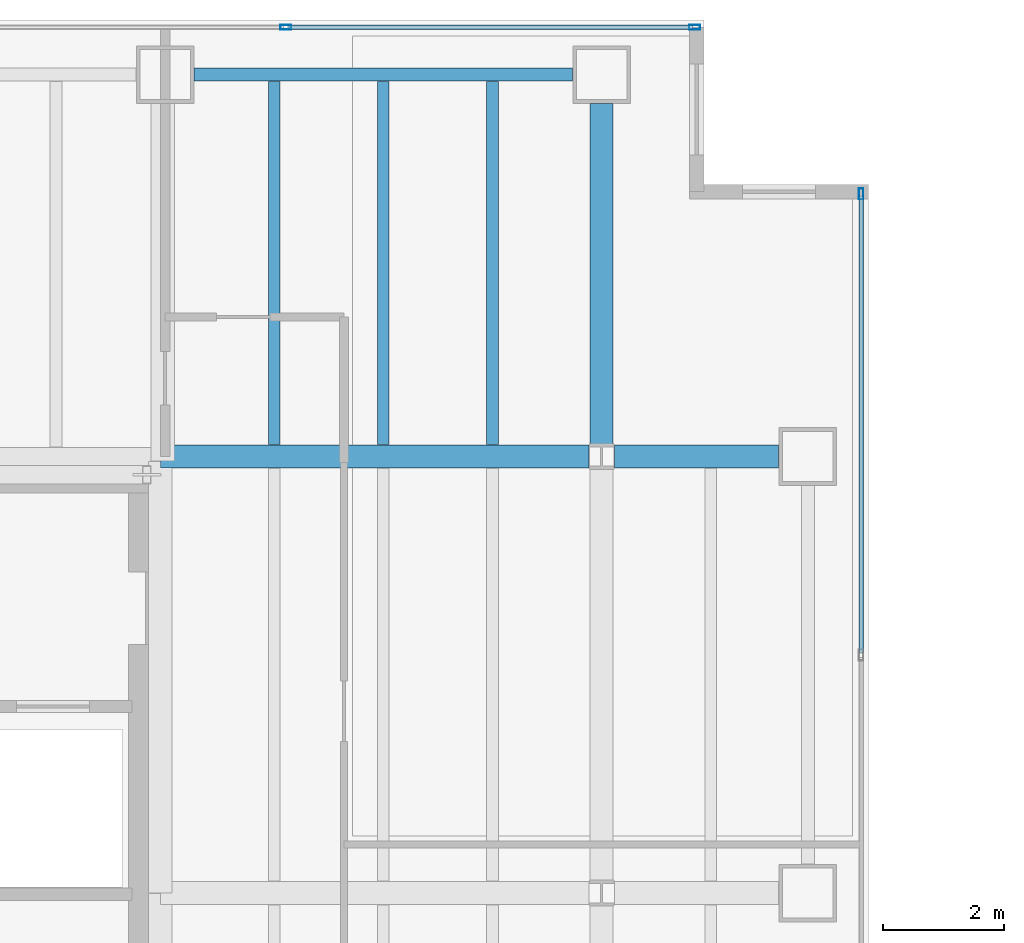
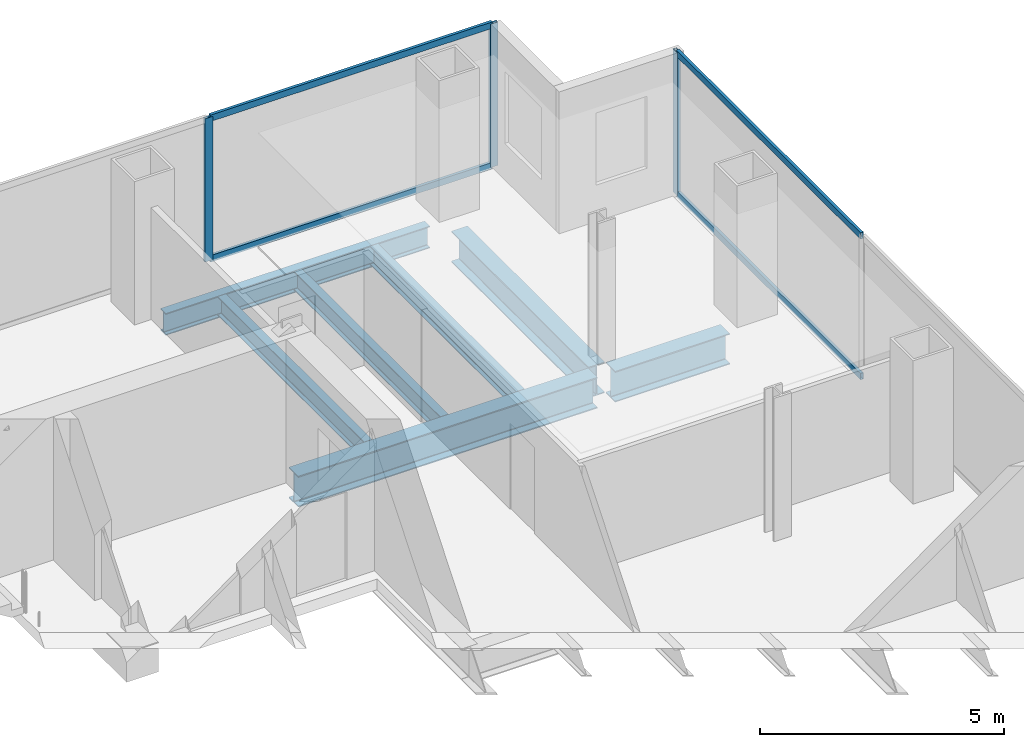
# One storey, part 18 of 24: 7 beams, 7 members, 2 elements without a shape of their own.
"""IFC4 building model written with IfcOpenShell, lengths in metres."""

from ifc_helpers import new_model, si_unit, direction, frame, origin, origin_2d, place, context, subcontext, project, spatial, hollow_rectangle, i_section, extrude, material, material_profile, profile_set, type_object, element, aggregate, save


model = new_model("IFC4")

# Units and contexts
model_context = context("Model", 3, precision=1e-05, world=origin(), true_north=direction((0.0, 1.0)))
body_context = subcontext(model_context, "Body", "Model", "MODEL_VIEW")
ifc_project = project(units=[si_unit("LENGTHUNIT", "METRE"), si_unit("AREAUNIT", "SQUARE_METRE"), si_unit("VOLUMEUNIT", "CUBIC_METRE"), si_unit("PLANEANGLEUNIT", "RADIAN"), si_unit("MASSUNIT", "GRAM", prefix="KILO")], contexts=[model_context])

# Site, building, storey
site_placement = place(None, origin())
site = spatial("IfcSite", under=ifc_project, at=site_placement, CompositionType="ELEMENT")
building_placement = place(site_placement, origin())
building = spatial("IfcBuilding", under=site, at=building_placement, Name="Cobrela Telecom Tower", CompositionType="ELEMENT")
storey_placement = place(building_placement, frame((0.0, 0.0, 106.050048828125)))
storey = spatial("IfcBuildingStorey", under=building, at=storey_placement, Name="L26", CompositionType="ELEMENT", Elevation=106.050048828125)

# Beams
ifc_material_1 = material(Name="Steel ASTM A992 Grade 50", Category="steel")
ifc_material_profile_1 = material_profile(ifc_material_1, i_section(OverallWidth=0.381103515625, OverallDepth=0.77197265625, WebThickness=0.0166015625, FlangeThickness=0.027099609375, FilletRadius=0.01904296875, at=origin_2d()), Name="W30X173")
ifc_profile_set_1 = profile_set([ifc_material_profile_1], Name="Steel ASTM A992 Grade 50")
beam_type_1 = type_object("IfcBeamType", Name="BM-GIRD-04", PredefinedType="USERDEFINED", material=ifc_profile_set_1)
beam_1_placement = place(storey_placement, frame((14.324951171875, 36.0, -0.656005859375), z_axis=(1.0, 0.0, 0.0), x_axis=(0.0, 1.0, 0.0)))
element("IfcBeam", 1, at=beam_1_placement, inside=storey, type_object=beam_type_1, Name="L26 Primary Girder X27", ObjectType="GIRDER", PredefinedType="USERDEFINED", context=body_context, shape_type="SweptSolid", body=[
    extrude(i_section(OverallWidth=0.381103515625, OverallDepth=0.77197265625, WebThickness=0.0166015625, FlangeThickness=0.027099609375, FilletRadius=0.01904296875, at=origin_2d()), origin(), (0.0, 0.0, 1.0), 7.0654296875),
])
beam_2_placement = place(storey_placement, frame((21.8095703125, 36.0, -0.656005859375), z_axis=(1.0, 0.0, 0.0), x_axis=(0.0, 1.0, 0.0)))
element("IfcBeam", 2, at=beam_2_placement, inside=storey, type_object=beam_type_1, Name="L26 Primary Girder X28", ObjectType="GIRDER", PredefinedType="USERDEFINED", context=body_context, shape_type="SweptSolid", body=[
    extrude(i_section(OverallWidth=0.381103515625, OverallDepth=0.77197265625, WebThickness=0.0166015625, FlangeThickness=0.027099609375, FilletRadius=0.01904296875, at=origin_2d()), origin(), (0.0, 0.0, 1.0), 2.71044921875),
])
beam_3_placement = place(storey_placement, frame((21.60009765625, 36.20947265625, -0.656005859375), z_axis=(0.0, 1.0, 0.0), x_axis=(-1.0, 0.0, 0.0)))
element("IfcBeam", 3, at=beam_3_placement, inside=storey, type_object=beam_type_1, Name="L26 Primary Girder Y44", ObjectType="GIRDER", PredefinedType="USERDEFINED", context=body_context, shape_type="SweptSolid", body=[
    extrude(i_section(OverallWidth=0.381103515625, OverallDepth=0.77197265625, WebThickness=0.0166015625, FlangeThickness=0.027099609375, FilletRadius=0.01904296875, at=origin_2d()), origin(), (0.0, 0.0, 1.0), 5.610595703125),
])
ifc_material_profile_2 = material_profile(ifc_material_1, i_section(OverallWidth=0.193115234375, OverallDepth=0.467041015625, WebThickness=0.011474609375, FlangeThickness=0.01904296875, FilletRadius=0.012939453125, at=origin_2d()), Name="W18X65")
ifc_profile_set_2 = profile_set([ifc_material_profile_2], Name="Steel ASTM A992 Grade 50")
beam_type_2 = type_object("IfcBeamType", Name="BM-JOIST-03", PredefinedType="JOIST", material=ifc_profile_set_2)
for number, where, z_axis, x_axis, name in (
    (4, (16.199951171875, 36.195556640625, -0.503662109375), (0.0, 1.0, 0.0), (-1.0, 0.0, 0.0), "L26 Secondary Composite Floor Beam J08"),
    (5, (18.0, 36.195556640625, -0.503662109375), (0.0, 1.0, 0.0), (-1.0, 0.0, 0.0), "L26 Secondary Composite Floor Beam J13"),
    (6, (19.800048828125, 36.195556640625, -0.503662109375), (0.0, 1.0, 0.0), (-1.0, 0.0, 0.0), "L26 Secondary Composite Floor Beam J18"),
):
    element("IfcBeam", number, at=place(storey_placement, frame(where, z_axis=z_axis, x_axis=x_axis)), inside=storey, type_object=beam_type_2, Name=name, PredefinedType="JOIST", context=body_context, shape_type="SweptSolid", body=[
        extrude(i_section(OverallWidth=0.193115234375, OverallDepth=0.467041015625, WebThickness=0.011474609375, FlangeThickness=0.01904296875, FilletRadius=0.012939453125, at=origin_2d()), origin(), (0.0, 0.0, 1.0), 5.992919921875),
    ])
ifc_material_profile_3 = material_profile(ifc_material_1, i_section(OverallWidth=0.212890625, OverallDepth=0.549072265625, WebThickness=0.0146484375, FlangeThickness=0.023681640625, FilletRadius=0.013916015625, at=origin_2d()), Name="W21X93")
ifc_profile_set_3 = profile_set([ifc_material_profile_3], Name="Steel ASTM A992 Grade 50")
beam_type_3 = type_object("IfcBeamType", Name="BM-SPAND-03", PredefinedType="SPANDREL", material=ifc_profile_set_3)
beam_4_placement = place(storey_placement, frame((14.8798828125, 42.300048828125, -0.54443359375), z_axis=(1.0, 0.0, 0.0), x_axis=(0.0, 1.0, 0.0)))
element("IfcBeam", 7, at=beam_4_placement, inside=storey, type_object=beam_type_3, Name="L26 Perimeter Spandrel X30", PredefinedType="SPANDREL", context=body_context, shape_type="SweptSolid", body=[
    extrude(i_section(OverallWidth=0.212890625, OverallDepth=0.549072265625, WebThickness=0.0146484375, FlangeThickness=0.023681640625, FilletRadius=0.013916015625, at=origin_2d()), origin(), (0.0, 0.0, 1.0), 6.240234375),
])

# Curtain wall, members
ifc_material_2 = material(Name="Anodized Bronze Aluminium 6063-T6", Category="aluminium")
curtain_wall_type = type_object("IfcCurtainWallType", Name="CW-SYS-TEL", PredefinedType="USERDEFINED", material=ifc_material_2)
curtain_wall_1_placement = place(storey_placement, origin())
curtain_wall_1 = element("IfcCurtainWall", 8, at=curtain_wall_1_placement, inside=storey, type_object=curtain_wall_type, Name="L26 Unitised Bronze Curtain Wall 07", ObjectType="UNITISED CURTAIN WALL", PredefinedType="USERDEFINED")
ifc_material_profile_4 = material_profile(ifc_material_2, hollow_rectangle(XDim=0.074951171875, YDim=0.179931640625, WallThickness=0.00390625, at=origin_2d()), Name="ALU 75x180x4")
ifc_profile_set_4 = profile_set([ifc_material_profile_4], Name="Anodized Bronze Aluminium 6063-T6")
member_type_1 = type_object("IfcMemberType", Name="CW-SYS-TEL-MUL", PredefinedType="MULLION", material=ifc_profile_set_4)
member_1_placement = place(storey_placement, frame((16.389892578125, 43.080078125, 0.0), z_axis=(0.0, 0.0, 1.0), x_axis=(0.0, 1.0, 0.0)))
member_1 = element("IfcMember", 9, at=member_1_placement, type_object=member_type_1, Name="CW-TEL mullion 3", PredefinedType="MULLION", context=body_context, shape_type="SweptSolid", body=[
    extrude(hollow_rectangle(XDim=0.074951171875, YDim=0.179931640625, WallThickness=0.00390625, at=origin_2d()), origin(), (0.0, 0.0, 1.0), 3.579833984375),
])
member_2_placement = place(storey_placement, frame((23.132568359375, 43.080078125, 0.0), z_axis=(0.0, 0.0, 1.0), x_axis=(0.0, 1.0, 0.0)))
member_2 = element("IfcMember", 10, at=member_2_placement, type_object=member_type_1, Name="CW-TEL mullion 4", PredefinedType="MULLION", context=body_context, shape_type="SweptSolid", body=[
    extrude(hollow_rectangle(XDim=0.074951171875, YDim=0.179931640625, WallThickness=0.00390625, at=origin_2d()), origin(), (0.0, 0.0, 1.0), 3.579833984375),
])

# Curtain wall, member
curtain_wall_2_placement = place(storey_placement, origin())
curtain_wall_2 = element("IfcCurtainWall", 11, at=curtain_wall_2_placement, inside=storey, type_object=curtain_wall_type, Name="L26 Unitised Bronze Curtain Wall 10", ObjectType="UNITISED CURTAIN WALL", PredefinedType="USERDEFINED")
member_3_placement = place(storey_placement, frame((25.8798828125, 40.33251953125, 0.0), z_axis=(0.0, 0.0, 1.0), x_axis=(1.0, 0.0, 0.0)))
member_3 = element("IfcMember", 12, at=member_3_placement, type_object=member_type_1, Name="CW-TEL mullion 1", PredefinedType="MULLION", context=body_context, shape_type="SweptSolid", body=[
    extrude(hollow_rectangle(XDim=0.074951171875, YDim=0.179931640625, WallThickness=0.00390625, at=origin_2d()), origin(), (0.0, 0.0, 1.0), 3.579833984375),
])

# Member
ifc_material_profile_5 = material_profile(ifc_material_2, hollow_rectangle(XDim=0.070068359375, YDim=0.159912109375, WallThickness=0.00390625, at=origin_2d()), Name="ALU 70x160x4")
ifc_profile_set_5 = profile_set([ifc_material_profile_5], Name="Anodized Bronze Aluminium 6063-T6")
member_type_2 = type_object("IfcMemberType", Name="CW-SYS-TEL-TRN", PredefinedType="USERDEFINED", material=ifc_profile_set_5)
member_4_placement = place(storey_placement, frame((16.427490234375, 43.080078125, 0.034912109375), z_axis=(1.0, 0.0, 0.0), x_axis=(0.0, 1.0, 0.0)))
member_4 = element("IfcMember", 13, at=member_4_placement, type_object=member_type_2, Name="CW-TEL transom 3.1", ObjectType="TRANSOM", PredefinedType="USERDEFINED", context=body_context, shape_type="SweptSolid", body=[
    extrude(hollow_rectangle(XDim=0.070068359375, YDim=0.159912109375, WallThickness=0.00390625, at=origin_2d()), origin(), (0.0, 0.0, 1.0), 6.66748046875),
])

member_5_placement = place(storey_placement, frame((16.427490234375, 43.080078125, 3.544921875), z_axis=(1.0, 0.0, 0.0), x_axis=(0.0, 1.0, 0.0)))
member_5 = element("IfcMember", 14, at=member_5_placement, type_object=member_type_2, Name="CW-TEL transom 3.2", ObjectType="TRANSOM", PredefinedType="USERDEFINED", context=body_context, shape_type="SweptSolid", body=[
    extrude(hollow_rectangle(XDim=0.070068359375, YDim=0.159912109375, WallThickness=0.00390625, at=origin_2d()), origin(), (0.0, 0.0, 1.0), 6.66748046875),
])

aggregate(curtain_wall_1, [member_1, member_2, member_4, member_5])

member_6_placement = place(storey_placement, frame((25.8798828125, 40.294921875, 0.034912109375), z_axis=(0.0, -1.0, 0.0), x_axis=(1.0, 0.0, 0.0)))
member_6 = element("IfcMember", 15, at=member_6_placement, type_object=member_type_2, Name="CW-TEL transom 1.1", ObjectType="TRANSOM", PredefinedType="USERDEFINED", context=body_context, shape_type="SweptSolid", body=[
    extrude(hollow_rectangle(XDim=0.070068359375, YDim=0.159912109375, WallThickness=0.00390625, at=origin_2d()), origin(), (0.0, 0.0, 1.0), 7.532470703125),
])

member_7_placement = place(storey_placement, frame((25.8798828125, 40.294921875, 3.544921875), z_axis=(0.0, -1.0, 0.0), x_axis=(1.0, 0.0, 0.0)))
member_7 = element("IfcMember", 16, at=member_7_placement, type_object=member_type_2, Name="CW-TEL transom 1.2", ObjectType="TRANSOM", PredefinedType="USERDEFINED", context=body_context, shape_type="SweptSolid", body=[
    extrude(hollow_rectangle(XDim=0.070068359375, YDim=0.159912109375, WallThickness=0.00390625, at=origin_2d()), origin(), (0.0, 0.0, 1.0), 7.532470703125),
])

aggregate(curtain_wall_2, [member_3, member_6, member_7])

save(model, "model.ifc")
